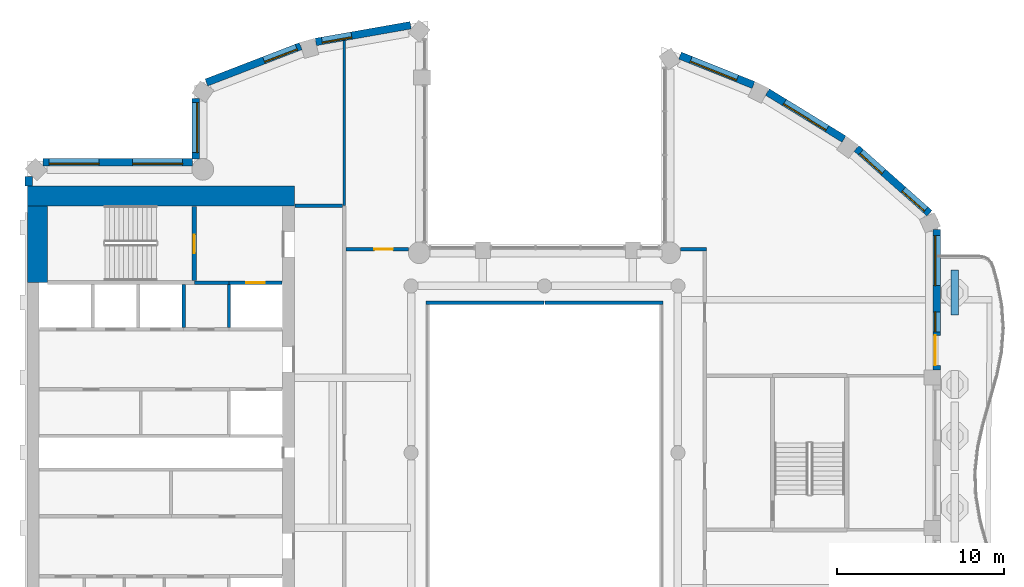
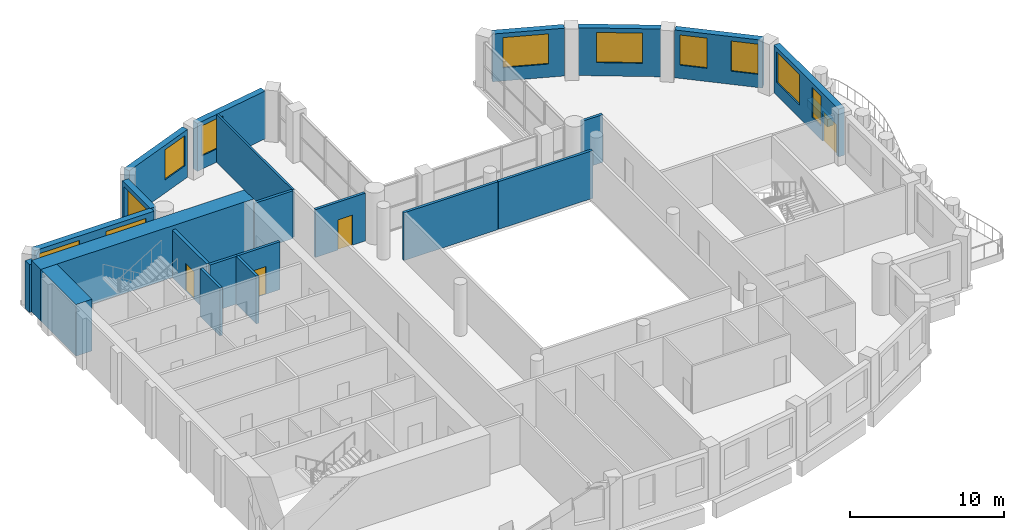
# One storey, part 7 of 14: 23 walls, 11 windows, 4 doors, 15 openings.
"""IFC4 building model written with IfcOpenShell, lengths in metres."""

from ifc_helpers import new_model, si_unit, direction, frame, frame_2d, origin, place, context, subcontext, project, spatial, rectangle, extrude, material, layer, layer_set, type_object, element, fill, save


model = new_model("IFC4")

# Units and contexts
model_context = context("Model", 3, precision=1e-05, world=origin(), true_north=direction((0.0, 1.0)))
body_context = subcontext(model_context, "Body", "Model", "MODEL_VIEW")
ifc_project = project(units=[si_unit("LENGTHUNIT", "METRE"), si_unit("AREAUNIT", "SQUARE_METRE"), si_unit("VOLUMEUNIT", "CUBIC_METRE"), si_unit("PLANEANGLEUNIT", "RADIAN"), si_unit("MASSUNIT", "GRAM", prefix="KILO")], contexts=[model_context])

# Site, building, storey
site_placement = place(None, origin())
site = spatial("IfcSite", under=ifc_project, at=site_placement, CompositionType="ELEMENT")
building_placement = place(site_placement, origin())
building = spatial("IfcBuilding", under=site, at=building_placement, Name="Cypress Arch Tower", CompositionType="ELEMENT")
storey_placement = place(building_placement, frame((0.0, 0.0, 247.5)))
storey = spatial("IfcBuildingStorey", under=building, at=storey_placement, Name="L55", CompositionType="ELEMENT", Elevation=247.5)

# Wall
ifc_material_1 = material(Name="Concrete C40/50, waterproofed", Category="concrete")
ifc_layer_1 = layer(ifc_material_1, 0.449951171875)
ifc_layer_set_1 = layer_set([ifc_layer_1], Name="Balcony planter wall PW450")
wall_type_1 = type_object("IfcWallType", Name="Balcony planter wall PW450", PredefinedType="SOLIDWALL", material=ifc_layer_set_1)
wall_1_placement = place(storey_placement, frame((25.60009765625, 8.25, 0.0), z_axis=(0.0, 0.0, 1.0), x_axis=(0.0, 1.0, 0.0)))
element("IfcWall", 1, at=wall_1_placement, inside=storey, type_object=wall_type_1, Name="Balcony planter wall L55-C17.5", PredefinedType="SOLIDWALL", context=body_context, shape_type="SweptSolid", body=[
    extrude(rectangle(XDim=2.699951171875, YDim=0.449951171875, at=frame_2d((1.35009765625, 0.0))), origin(), (0.0, 0.0, 1.0), 0.60009765625),
])

# Wall, opening, window
ifc_material_2 = material(Name="Brick (red buff blend)", Category="masonry")
ifc_layer_2 = layer(ifc_material_2, 0.449951171875)
ifc_layer_set_2 = layer_set([ifc_layer_2], Name="Brick pier and spandrel wall BW450")
wall_type_2 = type_object("IfcWallType", Name="Brick pier and spandrel wall BW450", PredefinedType="SOLIDWALL", material=ifc_layer_set_2)
wall_2_placement = place(storey_placement, frame((-7.028564453125, 25.63232421875, 0.0), z_axis=(0.0, 0.0, 1.0), x_axis=(-0.984797606634, -0.173705710808, 0.0)))
wall_2 = element("IfcWall", 2, at=wall_2_placement, inside=storey, type_object=wall_type_2, Name="Brick wall L55 C03.0", PredefinedType="SOLIDWALL", context=body_context, shape_type="SweptSolid", body=[
    extrude(rectangle(XDim=5.772216796875, YDim=0.449951171875, at=frame_2d((2.88623046875, 0.0))), origin(), (0.0, 0.0, 1.0), 3.800048828125),
])
opening_1_placement = place(wall_2_placement, frame((3.59326171875, 0.0, 1.050048828125)))
opening_1 = element("IfcOpeningElement", 3, at=opening_1_placement, cuts=wall_2, Name="Opening W180O", PredefinedType="OPENING", context=body_context, shape_type="SweptSolid", body=[
    extrude(rectangle(XDim=1.800048828125, YDim=2.39990234375, at=frame_2d((0.89990234375, 1.199951171875))), frame((0.0, 0.23486328125, 0.0), z_axis=(0.0, -1.0, 0.0), x_axis=(1.0, 0.0, 0.0)), (0.0, 0.0, 1.0), 0.469970703125),
])
ifc_material_3 = material(Name="Anodised aluminium, bronze finish, clear low-emissivity double glazing", Category="aluminium")
window_type_1 = type_object("IfcWindowType", Name="Window Office 1800x2400", PartitioningType="SINGLE_PANEL", PredefinedType="WINDOW", material=ifc_material_3)
window_1_placement = place(opening_1_placement, origin())
window_1 = element("IfcWindow", 4, at=window_1_placement, inside=storey, type_object=window_type_1, Name="Window L55 C03.0.2", OverallHeight=2.39990234375, OverallWidth=1.800048828125, PartitioningType="SINGLE_PANEL", PredefinedType="WINDOW", context=body_context, shape_type="SweptSolid", body=[
    extrude(rectangle(XDim=1.800048828125, YDim=2.39990234375, at=frame_2d((0.89990234375, 1.199951171875))), frame((0.0, 0.135009765625, 0.0), z_axis=(0.0, -1.0, 0.0), x_axis=(1.0, 0.0, 0.0)), (0.0, 0.0, 1.0), 0.06005859375),
])
fill(opening_1, window_1)

wall_3_placement = place(storey_placement, frame((-13.6220703125, 24.376953125, 0.0), z_axis=(0.0, 0.0, 1.0), x_axis=(-0.933129259679, -0.359541075164, 0.0)))
wall_3 = element("IfcWall", 5, at=wall_3_placement, inside=storey, type_object=wall_type_2, Name="Brick wall L55 C04.0", PredefinedType="SOLIDWALL", context=body_context, shape_type="SweptSolid", body=[
    extrude(rectangle(XDim=6.05419921875, YDim=0.449951171875, at=frame_2d((3.027099609375, 0.0))), origin(), (0.0, 0.0, 1.0), 3.800048828125),
])
opening_2_placement = place(wall_3_placement, frame((0.260986328125, 0.0, 1.050048828125)))
opening_2 = element("IfcOpeningElement", 6, at=opening_2_placement, cuts=wall_3, Name="Opening W210O", PredefinedType="OPENING", context=body_context, shape_type="SweptSolid", body=[
    extrude(rectangle(XDim=2.10009765625, YDim=2.39990234375, at=frame_2d((1.050048828125, 1.199951171875))), frame((0.0, 0.23486328125, 0.0), z_axis=(0.0, -1.0, 0.0), x_axis=(1.0, 0.0, 0.0)), (0.0, 0.0, 1.0), 0.469970703125),
])
ifc_material_4 = material(Name="Anodised aluminium, bronze finish, clear low-emissivity double glazing", Category="aluminium")
window_type_2 = type_object("IfcWindowType", Name="Window Office 2100x2400", PartitioningType="SINGLE_PANEL", PredefinedType="WINDOW", material=ifc_material_4)
window_2_placement = place(opening_2_placement, origin())
window_2 = element("IfcWindow", 7, at=window_2_placement, inside=storey, type_object=window_type_2, Name="Window L55 C04.0.1", OverallHeight=2.39990234375, OverallWidth=2.10009765625, PartitioningType="SINGLE_PANEL", PredefinedType="WINDOW", context=body_context, shape_type="SweptSolid", body=[
    extrude(rectangle(XDim=2.10009765625, YDim=2.39990234375, at=frame_2d((1.050048828125, 1.199951171875))), frame((0.0, 0.135009765625, 0.0), z_axis=(0.0, -1.0, 0.0), x_axis=(1.0, 0.0, 0.0)), (0.0, 0.0, 1.0), 0.06005859375),
])
fill(opening_2, window_2)

wall_4_placement = place(storey_placement, frame((-19.925048828125, 21.248291015625, 0.0), z_axis=(0.0, 0.0, 1.0), x_axis=(0.0, -1.0, 0.0)))
wall_4 = element("IfcWall", 8, at=wall_4_placement, inside=storey, type_object=wall_type_2, Name="Brick wall L55 C05.0", PredefinedType="SOLIDWALL", context=body_context, shape_type="SweptSolid", body=[
    extrude(rectangle(XDim=3.646728515625, YDim=0.449951171875, at=frame_2d((1.8232421875, 0.0))), origin(), (0.0, 0.0, 1.0), 3.800048828125),
])
opening_3_placement = place(wall_4_placement, frame((0.251220703125, 0.0, 1.050048828125)))
opening_3 = element("IfcOpeningElement", 9, at=opening_3_placement, cuts=wall_4, Name="Opening W300O", PredefinedType="OPENING", context=body_context, shape_type="SweptSolid", body=[
    extrude(rectangle(XDim=3.0, YDim=2.39990234375, at=frame_2d((1.5, 1.199951171875))), frame((0.0, 0.23486328125, 0.0), z_axis=(0.0, -1.0, 0.0), x_axis=(1.0, 0.0, 0.0)), (0.0, 0.0, 1.0), 0.469970703125),
])
ifc_material_5 = material(Name="Anodised aluminium, bronze finish, clear low-emissivity double glazing", Category="aluminium")
window_type_3 = type_object("IfcWindowType", Name="Window Office 3000x2400", PartitioningType="SINGLE_PANEL", PredefinedType="WINDOW", material=ifc_material_5)
window_3_placement = place(opening_3_placement, origin())
window_3 = element("IfcWindow", 10, at=window_3_placement, inside=storey, type_object=window_type_3, Name="Window L55 C05.0.1", OverallHeight=2.39990234375, OverallWidth=3.0, PartitioningType="SINGLE_PANEL", PredefinedType="WINDOW", context=body_context, shape_type="SweptSolid", body=[
    extrude(rectangle(XDim=3.0, YDim=2.39990234375, at=frame_2d((1.5, 1.199951171875))), frame((0.0, 0.135009765625, 0.0), z_axis=(0.0, -1.0, 0.0), x_axis=(1.0, 0.0, 0.0)), (0.0, 0.0, 1.0), 0.06005859375),
])
fill(opening_3, window_3)

# Wall, openings, windows
wall_5_placement = place(storey_placement, frame((-20.1015625, 17.425048828125, 0.0), z_axis=(0.0, 0.0, 1.0), x_axis=(-1.0, 0.0, 0.0)))
wall_5 = element("IfcWall", 11, at=wall_5_placement, inside=storey, type_object=wall_type_2, Name="Brick wall L55 C06.0", PredefinedType="SOLIDWALL", context=body_context, shape_type="SweptSolid", body=[
    extrude(rectangle(XDim=8.962158203125, YDim=0.449951171875, at=frame_2d((4.48095703125, 0.0))), origin(), (0.0, 0.0, 1.0), 3.800048828125),
])
opening_4_placement = place(wall_5_placement, frame((0.598388671875, 0.0, 1.050048828125)))
opening_4 = element("IfcOpeningElement", 12, at=opening_4_placement, cuts=wall_5, Name="Opening W300O", PredefinedType="OPENING", context=body_context, shape_type="SweptSolid", body=[
    extrude(rectangle(XDim=3.0, YDim=2.39990234375, at=frame_2d((1.5, 1.199951171875))), frame((0.0, 0.23486328125, 0.0), z_axis=(0.0, -1.0, 0.0), x_axis=(1.0, 0.0, 0.0)), (0.0, 0.0, 1.0), 0.469970703125),
])
opening_5_placement = place(wall_5_placement, frame((5.598388671875, 0.0, 1.050048828125)))
opening_5 = element("IfcOpeningElement", 13, at=opening_5_placement, cuts=wall_5, Name="Opening W300O", PredefinedType="OPENING", context=body_context, shape_type="SweptSolid", body=[
    extrude(rectangle(XDim=3.0, YDim=2.39990234375, at=frame_2d((1.5, 1.199951171875))), frame((0.0, 0.23486328125, 0.0), z_axis=(0.0, -1.0, 0.0), x_axis=(1.0, 0.0, 0.0)), (0.0, 0.0, 1.0), 0.469970703125),
])
window_4_placement = place(opening_4_placement, origin())
window_4 = element("IfcWindow", 14, at=window_4_placement, inside=storey, type_object=window_type_3, Name="Window L55 C06.0.1", OverallHeight=2.39990234375, OverallWidth=3.0, PartitioningType="SINGLE_PANEL", PredefinedType="WINDOW", context=body_context, shape_type="SweptSolid", body=[
    extrude(rectangle(XDim=3.0, YDim=2.39990234375, at=frame_2d((1.5, 1.199951171875))), frame((0.0, 0.135009765625, 0.0), z_axis=(0.0, -1.0, 0.0), x_axis=(1.0, 0.0, 0.0)), (0.0, 0.0, 1.0), 0.06005859375),
])
fill(opening_4, window_4)
window_5_placement = place(opening_5_placement, origin())
window_5 = element("IfcWindow", 15, at=window_5_placement, inside=storey, type_object=window_type_3, Name="Window L55 C06.0.2", OverallHeight=2.39990234375, OverallWidth=3.0, PartitioningType="SINGLE_PANEL", PredefinedType="WINDOW", context=body_context, shape_type="SweptSolid", body=[
    extrude(rectangle(XDim=3.0, YDim=2.39990234375, at=frame_2d((1.5, 1.199951171875))), frame((0.0, 0.135009765625, 0.0), z_axis=(0.0, -1.0, 0.0), x_axis=(1.0, 0.0, 0.0)), (0.0, 0.0, 1.0), 0.06005859375),
])
fill(opening_5, window_5)

# Wall
wall_6_placement = place(storey_placement, frame((-29.925048828125, 16.563720703125, 0.0), z_axis=(0.0, 0.0, 1.0), x_axis=(0.0, -1.0, 0.0)))
element("IfcWall", 16, at=wall_6_placement, inside=storey, type_object=wall_type_2, Name="Brick wall L55 C07.0", PredefinedType="SOLIDWALL", context=body_context, shape_type="SweptSolid", body=[
    extrude(rectangle(XDim=0.563720703125, YDim=0.449951171875, at=frame_2d((0.28173828125, 0.0))), origin(), (0.0, 0.0, 1.0), 3.800048828125),
])

# Wall, openings, door, windows
wall_7_placement = place(storey_placement, frame((24.52490234375, 4.949951171875, 0.0), z_axis=(0.0, 0.0, 1.0), x_axis=(0.0, 1.0, 0.0)))
wall_7 = element("IfcWall", 17, at=wall_7_placement, inside=storey, type_object=wall_type_2, Name="Brick wall L55 C17.2", PredefinedType="SOLIDWALL", context=body_context, shape_type="SweptSolid", body=[
    extrude(rectangle(XDim=8.421875, YDim=0.449951171875, at=frame_2d((4.2109375, 0.0))), origin(), (0.0, 0.0, 1.0), 3.800048828125),
])
opening_6_placement = place(wall_7_placement, frame((0.291259765625, 0.0, 0.0)))
opening_6 = element("IfcOpeningElement", 18, at=opening_6_placement, cuts=wall_7, Name="Opening D-L55-C17.2.1", PredefinedType="OPENING", context=body_context, shape_type="SweptSolid", body=[
    extrude(rectangle(XDim=1.800048828125, YDim=2.39990234375, at=frame_2d((0.89990234375, 1.199951171875))), frame((0.0, 0.23486328125, 0.0), z_axis=(0.0, -1.0, 0.0), x_axis=(1.0, 0.0, 0.0)), (0.0, 0.0, 1.0), 0.469970703125),
])
opening_7_placement = place(wall_7_placement, frame((2.291259765625, 0.0, 1.050048828125)))
opening_7 = element("IfcOpeningElement", 19, at=opening_7_placement, cuts=wall_7, Name="Opening W120OD", PredefinedType="OPENING", context=body_context, shape_type="SweptSolid", body=[
    extrude(rectangle(XDim=1.199951171875, YDim=2.39990234375, at=frame_2d((0.60009765625, 1.199951171875))), frame((0.0, 0.23486328125, 0.0), z_axis=(0.0, -1.0, 0.0), x_axis=(1.0, 0.0, 0.0)), (0.0, 0.0, 1.0), 0.469970703125),
])
opening_8_placement = place(wall_7_placement, frame((5.073974609375, 0.0, 1.050048828125)))
opening_8 = element("IfcOpeningElement", 20, at=opening_8_placement, cuts=wall_7, Name="Opening W300OD", PredefinedType="OPENING", context=body_context, shape_type="SweptSolid", body=[
    extrude(rectangle(XDim=3.0, YDim=2.39990234375, at=frame_2d((1.5, 1.199951171875))), frame((0.0, 0.23486328125, 0.0), z_axis=(0.0, -1.0, 0.0), x_axis=(1.0, 0.0, 0.0)), (0.0, 0.0, 1.0), 0.469970703125),
])
ifc_material_6 = material(Name="Anodised aluminium, bronze finish, laminated low-emissivity double glazing, large-missile impact rated", Category="aluminium")
door_type_1 = type_object("IfcDoorType", Name="Balcony sliding door 1800x2400", OperationType="SLIDING_TO_LEFT", PredefinedType="DOOR", material=ifc_material_6)
door_1_placement = place(opening_6_placement, origin())
door_1 = element("IfcDoor", 21, at=door_1_placement, inside=storey, type_object=door_type_1, Name="Balcony door L55 C17.2.1", OperationType="SLIDING_TO_LEFT", OverallHeight=2.39990234375, OverallWidth=1.800048828125, PredefinedType="DOOR", context=body_context, shape_type="SweptSolid", body=[
    extrude(rectangle(XDim=1.800048828125, YDim=2.39990234375, at=frame_2d((0.89990234375, 1.199951171875))), frame((0.0, 0.1298828125, 0.0), z_axis=(0.0, -1.0, 0.0), x_axis=(1.0, 0.0, 0.0)), (0.0, 0.0, 1.0), 0.050048828125),
])
fill(opening_6, door_1)
ifc_material_7 = material(Name="Anodised aluminium, bronze finish, laminated low-emissivity double glazing, large-missile impact rated", Category="aluminium")
window_type_4 = type_object("IfcWindowType", Name="Window Office 1200x2400 debris-rated", PartitioningType="SINGLE_PANEL", PredefinedType="WINDOW", material=ifc_material_7)
window_6_placement = place(opening_7_placement, origin())
window_6 = element("IfcWindow", 22, at=window_6_placement, inside=storey, type_object=window_type_4, Name="Window L55 C17.2.1", OverallHeight=2.39990234375, OverallWidth=1.199951171875, PartitioningType="SINGLE_PANEL", PredefinedType="WINDOW", context=body_context, shape_type="SweptSolid", body=[
    extrude(rectangle(XDim=1.199951171875, YDim=2.39990234375, at=frame_2d((0.60009765625, 1.199951171875))), frame((0.0, 0.135009765625, 0.0), z_axis=(0.0, -1.0, 0.0), x_axis=(1.0, 0.0, 0.0)), (0.0, 0.0, 1.0), 0.06005859375),
])
fill(opening_7, window_6)
ifc_material_8 = material(Name="Anodised aluminium, bronze finish, laminated low-emissivity double glazing, large-missile impact rated", Category="aluminium")
window_type_5 = type_object("IfcWindowType", Name="Window Office 3000x2400 debris-rated", PartitioningType="SINGLE_PANEL", PredefinedType="WINDOW", material=ifc_material_8)
window_7_placement = place(opening_8_placement, origin())
window_7 = element("IfcWindow", 23, at=window_7_placement, inside=storey, type_object=window_type_5, Name="Window L55 C17.2.2", OverallHeight=2.39990234375, OverallWidth=3.0, PartitioningType="SINGLE_PANEL", PredefinedType="WINDOW", context=body_context, shape_type="SweptSolid", body=[
    extrude(rectangle(XDim=3.0, YDim=2.39990234375, at=frame_2d((1.5, 1.199951171875))), frame((0.0, 0.135009765625, 0.0), z_axis=(0.0, -1.0, 0.0), x_axis=(1.0, 0.0, 0.0)), (0.0, 0.0, 1.0), 0.06005859375),
])
fill(opening_8, window_7)

# Wall, openings, windows
wall_8_placement = place(storey_placement, frame((24.08056640625, 14.361083984375, 0.0), z_axis=(0.0, 0.0, 1.0), x_axis=(-0.747570482973, 0.664182484704, 0.0)))
wall_8 = element("IfcWall", 24, at=wall_8_placement, inside=storey, type_object=wall_type_2, Name="Brick wall L55 C18.0", PredefinedType="SOLIDWALL", context=body_context, shape_type="SweptSolid", body=[
    extrude(rectangle(XDim=5.849609375, YDim=0.449951171875, at=frame_2d((2.9248046875, 0.0))), origin(), (0.0, 0.0, 1.0), 3.800048828125),
])
opening_9_placement = place(wall_8_placement, frame((0.305419921875, 0.0, 1.050048828125)))
opening_9 = element("IfcOpeningElement", 25, at=opening_9_placement, cuts=wall_8, Name="Opening W180O", PredefinedType="OPENING", context=body_context, shape_type="SweptSolid", body=[
    extrude(rectangle(XDim=1.800048828125, YDim=2.39990234375, at=frame_2d((0.89990234375, 1.199951171875))), frame((0.0, 0.23486328125, 0.0), z_axis=(0.0, -1.0, 0.0), x_axis=(1.0, 0.0, 0.0)), (0.0, 0.0, 1.0), 0.469970703125),
])
opening_10_placement = place(wall_8_placement, frame((3.702880859375, 0.0, 1.050048828125)))
opening_10 = element("IfcOpeningElement", 26, at=opening_10_placement, cuts=wall_8, Name="Opening W180O", PredefinedType="OPENING", context=body_context, shape_type="SweptSolid", body=[
    extrude(rectangle(XDim=1.800048828125, YDim=2.39990234375, at=frame_2d((0.89990234375, 1.199951171875))), frame((0.0, 0.23486328125, 0.0), z_axis=(0.0, -1.0, 0.0), x_axis=(1.0, 0.0, 0.0)), (0.0, 0.0, 1.0), 0.469970703125),
])
window_8_placement = place(opening_9_placement, origin())
window_8 = element("IfcWindow", 27, at=window_8_placement, inside=storey, type_object=window_type_1, Name="Window L55 C18.0.1", OverallHeight=2.39990234375, OverallWidth=1.800048828125, PartitioningType="SINGLE_PANEL", PredefinedType="WINDOW", context=body_context, shape_type="SweptSolid", body=[
    extrude(rectangle(XDim=1.800048828125, YDim=2.39990234375, at=frame_2d((0.89990234375, 1.199951171875))), frame((0.0, 0.135009765625, 0.0), z_axis=(0.0, -1.0, 0.0), x_axis=(1.0, 0.0, 0.0)), (0.0, 0.0, 1.0), 0.06005859375),
])
fill(opening_9, window_8)
window_9_placement = place(opening_10_placement, origin())
window_9 = element("IfcWindow", 28, at=window_9_placement, inside=storey, type_object=window_type_1, Name="Window L55 C18.0.2", OverallHeight=2.39990234375, OverallWidth=1.800048828125, PartitioningType="SINGLE_PANEL", PredefinedType="WINDOW", context=body_context, shape_type="SweptSolid", body=[
    extrude(rectangle(XDim=1.800048828125, YDim=2.39990234375, at=frame_2d((0.89990234375, 1.199951171875))), frame((0.0, 0.135009765625, 0.0), z_axis=(0.0, -1.0, 0.0), x_axis=(1.0, 0.0, 0.0)), (0.0, 0.0, 1.0), 0.06005859375),
])
fill(opening_10, window_9)

# Wall, opening, window
wall_9_placement = place(storey_placement, frame((18.953369140625, 18.806396484375, 0.0), z_axis=(0.0, 0.0, 1.0), x_axis=(-0.851860664503, 0.523768468193, 0.0)))
wall_9 = element("IfcWall", 29, at=wall_9_placement, inside=storey, type_object=wall_type_2, Name="Brick wall L55 C19.0", PredefinedType="SOLIDWALL", context=body_context, shape_type="SweptSolid", body=[
    extrude(rectangle(XDim=5.3837890625, YDim=0.449951171875, at=frame_2d((2.69189453125, 0.0))), origin(), (0.0, 0.0, 1.0), 3.800048828125),
])
opening_11_placement = place(wall_9_placement, frame((1.19189453125, 0.0, 1.050048828125)))
opening_11 = element("IfcOpeningElement", 30, at=opening_11_placement, cuts=wall_9, Name="Opening W300O", PredefinedType="OPENING", context=body_context, shape_type="SweptSolid", body=[
    extrude(rectangle(XDim=3.0, YDim=2.39990234375, at=frame_2d((1.5, 1.199951171875))), frame((0.0, 0.23486328125, 0.0), z_axis=(0.0, -1.0, 0.0), x_axis=(1.0, 0.0, 0.0)), (0.0, 0.0, 1.0), 0.469970703125),
])
window_10_placement = place(opening_11_placement, origin())
window_10 = element("IfcWindow", 31, at=window_10_placement, inside=storey, type_object=window_type_3, Name="Window L55 C19.0.1", OverallHeight=2.39990234375, OverallWidth=3.0, PartitioningType="SINGLE_PANEL", PredefinedType="WINDOW", context=body_context, shape_type="SweptSolid", body=[
    extrude(rectangle(XDim=3.0, YDim=2.39990234375, at=frame_2d((1.5, 1.199951171875))), frame((0.0, 0.135009765625, 0.0), z_axis=(0.0, -1.0, 0.0), x_axis=(1.0, 0.0, 0.0)), (0.0, 0.0, 1.0), 0.06005859375),
])
fill(opening_11, window_10)

wall_10_placement = place(storey_placement, frame((13.529296875, 22.04833984375, 0.0), z_axis=(0.0, 0.0, 1.0), x_axis=(-0.927957332619, 0.372686448424, 0.0)))
wall_10 = element("IfcWall", 32, at=wall_10_placement, inside=storey, type_object=wall_type_2, Name="Brick wall L55 C20.0", PredefinedType="SOLIDWALL", context=body_context, shape_type="SweptSolid", body=[
    extrude(rectangle(XDim=4.741455078125, YDim=0.449951171875, at=frame_2d((2.37060546875, 0.0))), origin(), (0.0, 0.0, 1.0), 3.800048828125),
])
opening_12_placement = place(wall_10_placement, frame((1.046630859375, 0.0, 1.050048828125)))
opening_12 = element("IfcOpeningElement", 33, at=opening_12_placement, cuts=wall_10, Name="Opening W300O", PredefinedType="OPENING", context=body_context, shape_type="SweptSolid", body=[
    extrude(rectangle(XDim=3.0, YDim=2.39990234375, at=frame_2d((1.5, 1.199951171875))), frame((0.0, 0.23486328125, 0.0), z_axis=(0.0, -1.0, 0.0), x_axis=(1.0, 0.0, 0.0)), (0.0, 0.0, 1.0), 0.469970703125),
])
window_11_placement = place(opening_12_placement, origin())
window_11 = element("IfcWindow", 34, at=window_11_placement, inside=storey, type_object=window_type_3, Name="Window L55 C20.0.1", OverallHeight=2.39990234375, OverallWidth=3.0, PartitioningType="SINGLE_PANEL", PredefinedType="WINDOW", context=body_context, shape_type="SweptSolid", body=[
    extrude(rectangle(XDim=3.0, YDim=2.39990234375, at=frame_2d((1.5, 1.199951171875))), frame((0.0, 0.135009765625, 0.0), z_axis=(0.0, -1.0, 0.0), x_axis=(1.0, 0.0, 0.0)), (0.0, 0.0, 1.0), 0.06005859375),
])
fill(opening_12, window_11)

# Walls
ifc_material_9 = material(Name="Concrete C60/75", Category="concrete")
ifc_layer_3 = layer(ifc_material_9, 1.199951171875)
ifc_layer_set_3 = layer_set([ifc_layer_3], Name="Core wall CW1200 C60/75")
wall_type_3 = type_object("IfcWallType", Name="Core wall CW1200 C60/75", PredefinedType="SHEAR", material=ifc_layer_set_3)
wall_11_placement = place(storey_placement, frame((-30.0, 15.39990234375, 0.0), z_axis=(0.0, 0.0, 1.0), x_axis=(1.0, 0.0, 0.0)))
element("IfcWall", 35, at=wall_11_placement, inside=storey, type_object=wall_type_3, Name="Core wall", PredefinedType="SHEAR", context=body_context, shape_type="SweptSolid", body=[
    extrude(rectangle(XDim=16.0, YDim=1.199951171875, at=frame_2d((8.0, 0.0))), origin(), (0.0, 0.0, 1.0), 4.10009765625),
])
wall_12_placement = place(storey_placement, frame((-29.39990234375, 10.199951171875, 0.0), z_axis=(0.0, 0.0, 1.0), x_axis=(0.0, 1.0, 0.0)))
element("IfcWall", 36, at=wall_12_placement, inside=storey, type_object=wall_type_3, Name="Core wall", PredefinedType="SHEAR", context=body_context, shape_type="SweptSolid", body=[
    extrude(rectangle(XDim=4.60009765625, YDim=1.199951171875, at=frame_2d((2.300048828125, 0.0))), origin(), (0.0, 0.0, 1.0), 4.10009765625),
])
ifc_material_10 = material(Name="Concrete blockwork, plastered, rated", Category="masonry")
ifc_layer_4 = layer(ifc_material_10, 0.199951171875)
ifc_layer_set_4 = layer_set([ifc_layer_4], Name="Corridor wall FW200")
wall_type_4 = type_object("IfcWallType", Name="Corridor wall FW200", PredefinedType="PARTITIONING", material=ifc_layer_set_4)
wall_13_placement = place(storey_placement, frame((-20.0, 10.199951171875, 0.0), z_axis=(0.0, 0.0, 1.0), x_axis=(1.0, 0.0, 0.0)))
element("IfcWall", 37, at=wall_13_placement, inside=storey, type_object=wall_type_4, Name="Corridor wall", PredefinedType="PARTITIONING", context=body_context, shape_type="SweptSolid", body=[
    extrude(rectangle(XDim=2.080078125, YDim=0.199951171875, at=frame_2d((1.0400390625, 0.0))), origin(), (0.0, 0.0, 1.0), 3.800048828125),
])
wall_14_placement = place(storey_placement, frame((-13.969970703125, 14.800048828125, 0.0), z_axis=(0.0, 0.0, 1.0), x_axis=(1.0, 0.0, 0.0)))
element("IfcWall", 38, at=wall_14_placement, inside=storey, type_object=wall_type_4, Name="Corridor wall", PredefinedType="PARTITIONING", context=body_context, shape_type="SweptSolid", body=[
    extrude(rectangle(XDim=2.869873046875, YDim=0.199951171875, at=frame_2d((1.43505859375, 0.0))), origin(), (0.0, 0.0, 1.0), 3.800048828125),
])

# Wall, opening, door
wall_15_placement = place(storey_placement, frame((-10.89990234375, 12.199951171875, 0.0), z_axis=(0.0, 0.0, 1.0), x_axis=(1.0, 0.0, 0.0)))
wall_15 = element("IfcWall", 39, at=wall_15_placement, inside=storey, type_object=wall_type_4, Name="Corridor wall", PredefinedType="PARTITIONING", context=body_context, shape_type="SweptSolid", body=[
    extrude(rectangle(XDim=3.756103515625, YDim=0.199951171875, at=frame_2d((1.8779296875, 0.0))), origin(), (0.0, 0.0, 1.0), 3.800048828125),
])
opening_13_placement = place(wall_15_placement, frame((1.699951171875, 0.0, 0.0)))
opening_13 = element("IfcOpeningElement", 40, at=opening_13_placement, cuts=wall_15, Name="Opening D01", PredefinedType="OPENING", context=body_context, shape_type="SweptSolid", body=[
    extrude(rectangle(XDim=1.10009765625, YDim=2.39990234375, at=frame_2d((0.550048828125, 1.199951171875))), frame((0.0, 0.10986328125, 0.0), z_axis=(0.0, -1.0, 0.0), x_axis=(1.0, 0.0, 0.0)), (0.0, 0.0, 1.0), 0.219970703125),
])
ifc_material_11 = material(Name="Timber flush door, fire resisting, self-closing", Category="wood")
door_type_2 = type_object("IfcDoorType", Name="Unit entrance door D01 1100x2400", OperationType="SINGLE_SWING_LEFT", PredefinedType="DOOR", material=ifc_material_11)
door_2_placement = place(opening_13_placement, origin())
door_2 = element("IfcDoor", 41, at=door_2_placement, inside=storey, type_object=door_type_2, Name="Unit entrance door", OperationType="SINGLE_SWING_RIGHT", OverallHeight=2.39990234375, OverallWidth=1.10009765625, PredefinedType="DOOR", context=body_context, shape_type="SweptSolid", body=[
    extrude(rectangle(XDim=1.10009765625, YDim=2.39990234375, at=frame_2d((0.550048828125, 1.199951171875))), frame((0.0, 0.02490234375, 0.0), z_axis=(0.0, -1.0, 0.0), x_axis=(1.0, 0.0, 0.0)), (0.0, 0.0, 1.0), 0.050048828125),
])
fill(opening_13, door_2)

# Walls
for number, where, z_axis, x_axis, name in (
    (42, (-6.10009765625, 9.0, 0.0), (0.0, 0.0, 1.0), (1.0, 0.0, 0.0), "Corridor wall"),
    (43, (1.02001953125, 9.0, 0.0), (0.0, 0.0, 1.0), (1.0, 0.0, 0.0), "Corridor wall"),
):
    element("IfcWall", number, at=place(storey_placement, frame(where, z_axis=z_axis, x_axis=x_axis)), inside=storey, type_object=wall_type_4, Name=name, PredefinedType="PARTITIONING", context=body_context, shape_type="SweptSolid", body=[
        extrude(rectangle(XDim=7.080078125, YDim=0.199951171875, at=frame_2d((3.5400390625, 0.0))), origin(), (0.0, 0.0, 1.0), 3.800048828125),
    ])
wall_16_placement = place(storey_placement, frame((9.143798828125, 12.199951171875, 0.0), z_axis=(0.0, 0.0, 1.0), x_axis=(1.0, 0.0, 0.0)))
element("IfcWall", 44, at=wall_16_placement, inside=storey, type_object=wall_type_4, Name="Corridor wall", PredefinedType="PARTITIONING", context=body_context, shape_type="SweptSolid", body=[
    extrude(rectangle(XDim=1.55615234375, YDim=0.199951171875, at=frame_2d((0.778076171875, 0.0))), origin(), (0.0, 0.0, 1.0), 3.800048828125),
])
ifc_material_12 = material(Name="Blockwork, plastered both sides", Category="masonry")
ifc_layer_5 = layer(ifc_material_12, 0.14990234375)
ifc_layer_set_5 = layer_set([ifc_layer_5], Name="Partition PW150")
wall_type_5 = type_object("IfcWallType", Name="Partition PW150", PredefinedType="PARTITIONING", material=ifc_layer_set_5)
wall_17_placement = place(storey_placement, frame((-11.0, 14.820068359375, 0.0), z_axis=(0.0, 0.0, 1.0), x_axis=(0.0, 1.0, 0.0)))
element("IfcWall", 45, at=wall_17_placement, inside=storey, type_object=wall_type_5, Name="Partition", PredefinedType="PARTITIONING", context=body_context, shape_type="SweptSolid", body=[
    extrude(rectangle(XDim=9.88330078125, YDim=0.14990234375, at=frame_2d((4.941650390625, 0.0))), origin(), (0.0, 0.0, 1.0), 3.800048828125),
])
ifc_material_13 = material(Name="Concrete C50/60", Category="concrete")
ifc_layer_6 = layer(ifc_material_13, 0.199951171875)
ifc_layer_set_6 = layer_set([ifc_layer_6], Name="Shaft wall SH200")
wall_type_6 = type_object("IfcWallType", Name="Shaft wall SH200", PredefinedType="SHEAR", material=ifc_layer_set_6)
wall_18_placement = place(storey_placement, frame((-20.639892578125, 7.5, 0.0), z_axis=(0.0, 0.0, 1.0), x_axis=(0.0, 1.0, 0.0)))
element("IfcWall", 46, at=wall_18_placement, inside=storey, type_object=wall_type_6, Name="Shaft wall", PredefinedType="SHEAR", context=body_context, shape_type="SweptSolid", body=[
    extrude(rectangle(XDim=2.574951171875, YDim=0.199951171875, at=frame_2d((1.28759765625, 0.0))), origin(), (0.0, 0.0, 1.0), 3.800048828125),
])
wall_19_placement = place(storey_placement, frame((-17.919921875, 7.5, 0.0), z_axis=(0.0, 0.0, 1.0), x_axis=(0.0, 1.0, 0.0)))
element("IfcWall", 47, at=wall_19_placement, inside=storey, type_object=wall_type_6, Name="Shaft wall", PredefinedType="SHEAR", context=body_context, shape_type="SweptSolid", body=[
    extrude(rectangle(XDim=2.60009765625, YDim=0.199951171875, at=frame_2d((1.300048828125, 0.0))), origin(), (0.0, 0.0, 1.0), 3.800048828125),
])

# Wall, opening, door
wall_20_placement = place(storey_placement, frame((-17.919921875, 10.199951171875, 0.0), z_axis=(0.0, 0.0, 1.0), x_axis=(1.0, 0.0, 0.0)))
wall_20 = element("IfcWall", 48, at=wall_20_placement, inside=storey, type_object=wall_type_6, Name="Shaft wall", PredefinedType="SHEAR", context=body_context, shape_type="SweptSolid", body=[
    extrude(rectangle(XDim=3.18994140625, YDim=0.199951171875, at=frame_2d((1.594970703125, 0.0))), origin(), (0.0, 0.0, 1.0), 3.800048828125),
])
opening_14_placement = place(wall_20_placement, frame((1.050048828125, 0.0, 0.0)))
opening_14 = element("IfcOpeningElement", 49, at=opening_14_placement, cuts=wall_20, Name="Opening LD-FL2", PredefinedType="OPENING", context=body_context, shape_type="SweptSolid", body=[
    extrude(rectangle(XDim=1.10009765625, YDim=2.199951171875, at=frame_2d((0.550048828125, 1.10009765625))), frame((0.0, 0.10986328125, 0.0), z_axis=(0.0, -1.0, 0.0), x_axis=(1.0, 0.0, 0.0)), (0.0, 0.0, 1.0), 0.219970703125),
])
ifc_material_14 = material(Name="Stainless steel centre-opening landing door, rated", Category="steel")
door_type_3 = type_object("IfcDoorType", Name="Lift landing door LD 1100x2200", OperationType="DOUBLE_DOOR_SLIDING", PredefinedType="DOOR", material=ifc_material_14)
door_3_placement = place(opening_14_placement, origin())
door_3 = element("IfcDoor", 50, at=door_3_placement, inside=storey, type_object=door_type_3, Name="Lift landing doors FL2", OperationType="DOUBLE_DOOR_SLIDING", OverallHeight=2.199951171875, OverallWidth=1.10009765625, PredefinedType="DOOR", context=body_context, shape_type="SweptSolid", body=[
    extrude(rectangle(XDim=1.10009765625, YDim=2.199951171875, at=frame_2d((0.550048828125, 1.10009765625))), frame((0.0, 0.02490234375, 0.0), z_axis=(0.0, -1.0, 0.0), x_axis=(1.0, 0.0, 0.0)), (0.0, 0.0, 1.0), 0.050048828125),
])
fill(opening_14, door_3)

ifc_material_15 = material(Name="Concrete C50/60", Category="concrete")
ifc_layer_7 = layer(ifc_material_15, 0.25)
ifc_layer_set_7 = layer_set([ifc_layer_7], Name="Stair enclosure wall SW250")
wall_type_7 = type_object("IfcWallType", Name="Stair enclosure wall SW250", PredefinedType="SHEAR", material=ifc_layer_set_7)
wall_21_placement = place(storey_placement, frame((-20.0, 10.324951171875, 0.0), z_axis=(0.0, 0.0, 1.0), x_axis=(0.0, 1.0, 0.0)))
wall_21 = element("IfcWall", 51, at=wall_21_placement, inside=storey, type_object=wall_type_7, Name="Stair enclosure wall", PredefinedType="SHEAR", context=body_context, shape_type="SweptSolid", body=[
    extrude(rectangle(XDim=4.445068359375, YDim=0.25, at=frame_2d((2.22265625, 0.0))), origin(), (0.0, 0.0, 1.0), 3.800048828125),
])
opening_15_placement = place(wall_21_placement, frame((1.64990234375, 0.0, 0.0)))
opening_15 = element("IfcOpeningElement", 52, at=opening_15_placement, cuts=wall_21, Name="Opening D06", PredefinedType="OPENING", context=body_context, shape_type="SweptSolid", body=[
    extrude(rectangle(XDim=1.10009765625, YDim=2.199951171875, at=frame_2d((0.550048828125, 1.10009765625))), frame((0.0, 0.135009765625, 0.0), z_axis=(0.0, -1.0, 0.0), x_axis=(1.0, 0.0, 0.0)), (0.0, 0.0, 1.0), 0.27001953125),
])
ifc_material_16 = material(Name="Steel door, fire resisting, panic bar", Category="steel")
door_type_4 = type_object("IfcDoorType", Name="Stair door D06 1100x2200", OperationType="SINGLE_SWING_LEFT", PredefinedType="DOOR", material=ifc_material_16)
door_4_placement = place(opening_15_placement, origin())
door_4 = element("IfcDoor", 53, at=door_4_placement, inside=storey, type_object=door_type_4, Name="Stair door", OperationType="SINGLE_SWING_LEFT", OverallHeight=2.199951171875, OverallWidth=1.10009765625, PredefinedType="DOOR", context=body_context, shape_type="SweptSolid", body=[
    extrude(rectangle(XDim=1.10009765625, YDim=2.199951171875, at=frame_2d((0.550048828125, 1.10009765625))), frame((0.0, 0.02490234375, 0.0), z_axis=(0.0, -1.0, 0.0), x_axis=(1.0, 0.0, 0.0)), (0.0, 0.0, 1.0), 0.050048828125),
])
fill(opening_15, door_4)

save(model, "model.ifc")
